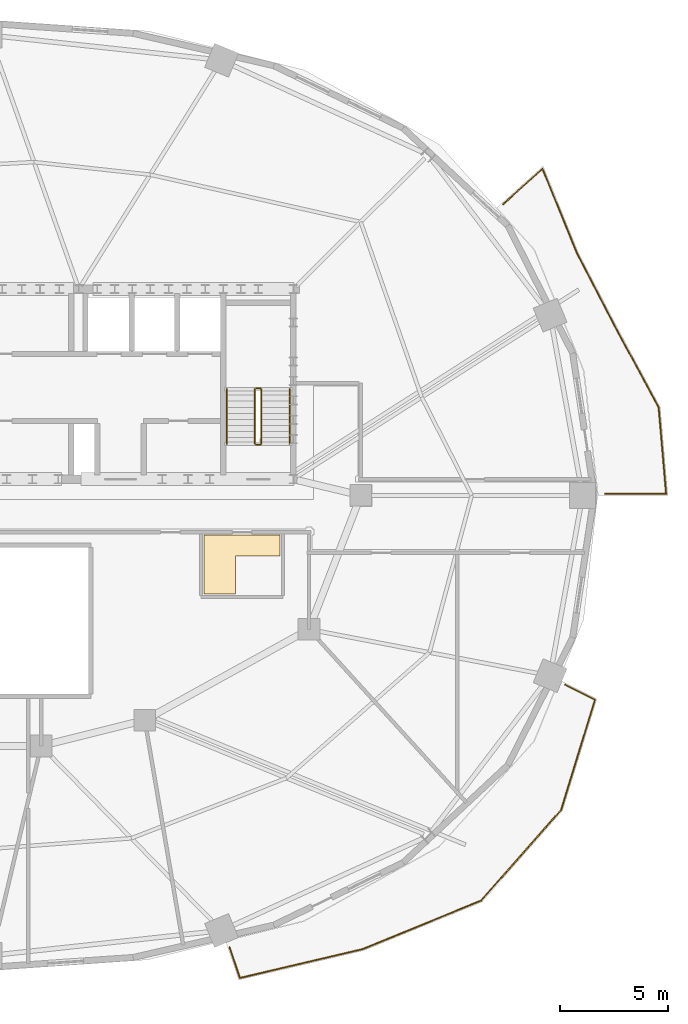
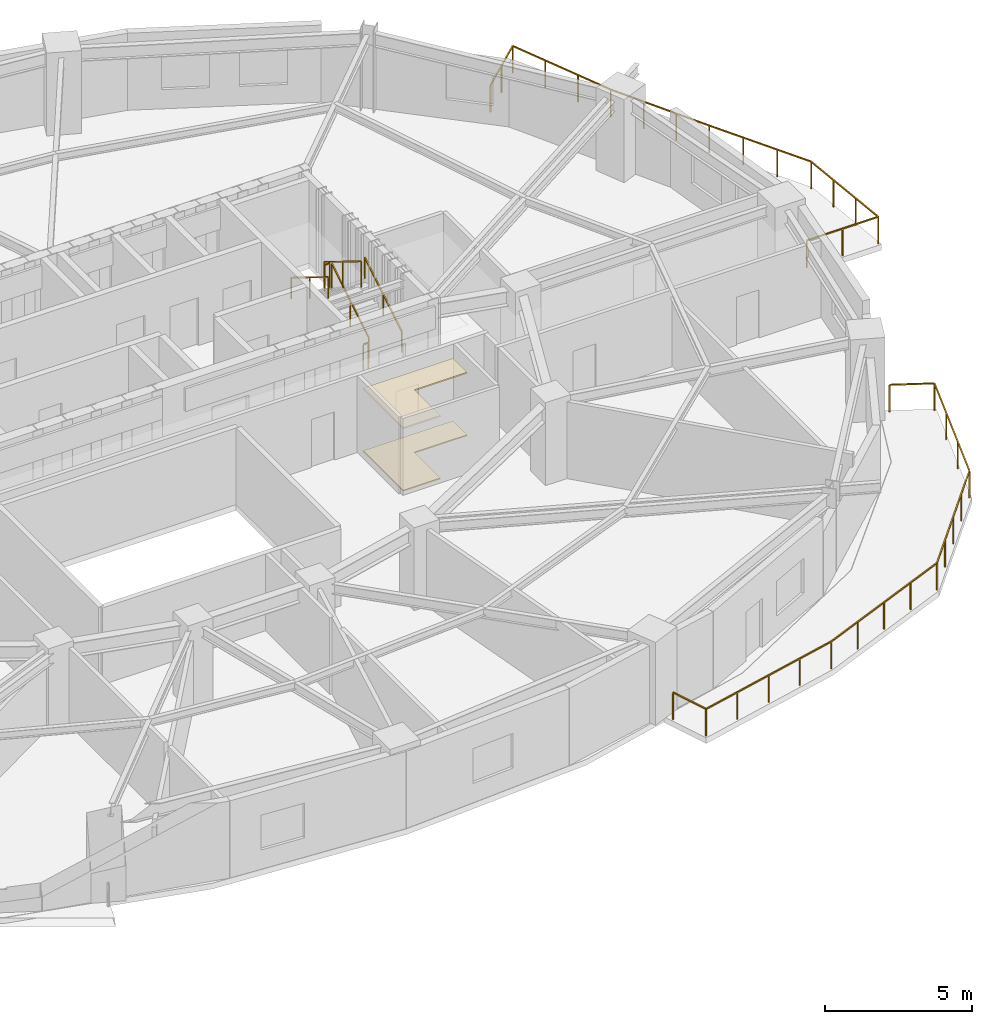
# One storey, part 11 of 11: 8 railings, 2 coverings.
"""IFC4 building model written with IfcOpenShell, lengths in metres."""

from ifc_helpers import new_model, si_unit, direction, frame, origin, origin_2d, place, context, subcontext, project, spatial, polyline, rectangle, outline, extrude, material, layer, layer_set, type_object, element, save


model = new_model("IFC4")

# Units and contexts
model_context = context("Model", 3, precision=1e-05, world=origin(), true_north=direction((0.0, 1.0)))
body_context = subcontext(model_context, "Body", "Model", "MODEL_VIEW")
ifc_project = project(units=[si_unit("LENGTHUNIT", "METRE"), si_unit("AREAUNIT", "SQUARE_METRE"), si_unit("VOLUMEUNIT", "CUBIC_METRE"), si_unit("PLANEANGLEUNIT", "RADIAN"), si_unit("MASSUNIT", "GRAM", prefix="KILO")], contexts=[model_context])

# Site, building, storey
site_placement = place(None, origin())
site = spatial("IfcSite", under=ifc_project, at=site_placement, CompositionType="ELEMENT")
building_placement = place(site_placement, origin())
building = spatial("IfcBuilding", under=site, at=building_placement, Name="Haldorwick Loom Tower", CompositionType="ELEMENT")
storey_placement = place(building_placement, frame((0.0, 0.0, 208.300048828125)))
storey = spatial("IfcBuildingStorey", under=building, at=storey_placement, Name="L56", CompositionType="ELEMENT", Elevation=208.300048828125)

# Coverings
ifc_material_1 = material(Name="Mineral Fibre Acoustic Ceiling Tile")
ifc_layer_1 = layer(ifc_material_1, 0.054931640625, Name="Mineral Fibre Acoustic Ceiling Tile")
ifc_layer_set_1 = layer_set([ifc_layer_1], Name="Mineral Fibre Acoustic Ceiling Tile")
covering_type_1 = type_object("IfcCoveringType", Name="ARC-COV-CEIL2", PredefinedType="CEILING", material=ifc_layer_set_1)
covering_1_placement = place(storey_placement, frame((0.0, 0.0, 2.594970703125)))
element("IfcCovering", 1, at=covering_1_placement, inside=storey, type_object=covering_type_1, Name="L56 Acoustic Suspended Ceiling 2", PredefinedType="CEILING", context=body_context, shape_type="SweptSolid", body=[
    extrude(outline(polyline([(45.929931640625, 24.159912109375), (45.929931640625, 21.429931640625), (47.39990234375, 21.429931640625), (47.39990234375, 23.199951171875), (49.469970703125, 23.199951171875), (49.469970703125, 24.159912109375), (45.929931640625, 24.159912109375)])), origin(), (0.0, 0.0, 1.0), 0.054931640625),
])
ifc_material_2 = material(Name="Polished Aggregate Terrazzo Finish")
ifc_layer_2 = layer(ifc_material_2, 0.044921875, Name="Polished Aggregate Terrazzo Finish")
ifc_layer_set_2 = layer_set([ifc_layer_2], Name="Polished Aggregate Terrazzo Finish")
covering_type_2 = type_object("IfcCoveringType", Name="ARC-COV-FLOOR2", PredefinedType="FLOORING", material=ifc_layer_set_2)
covering_2_placement = place(storey_placement, origin())
element("IfcCovering", 2, at=covering_2_placement, inside=storey, type_object=covering_type_2, Name="L56 Floor Finish 2", PredefinedType="FLOORING", context=body_context, shape_type="SweptSolid", body=[
    extrude(outline(polyline([(45.929931640625, 24.159912109375), (45.929931640625, 21.429931640625), (47.39990234375, 21.429931640625), (47.39990234375, 23.199951171875), (49.469970703125, 23.199951171875), (49.469970703125, 24.159912109375), (45.929931640625, 24.159912109375)])), origin(), (0.0, 0.0, 1.0), 0.044921875),
])

# Railings
ifc_material_3 = material(Name="Galvanized Steel CSA G40.21 350W", Category="steel")
railing_type_1 = type_object("IfcRailingType", Name="ARC-RLG-BAL115", PredefinedType="BALUSTRADE", material=ifc_material_3)
railing_1_placement = place(storey_placement, frame((62.661865234375, 17.236572265625, 0.0)))
element("IfcRailing", 3, at=railing_1_placement, inside=storey, type_object=railing_type_1, Name="L56 Outdoor Terrace Guardrail SLB-L56-BAL_SE-1", PredefinedType="BALUSTRADE", context=body_context, shape_type="SweptSolid", body=[
    extrude(rectangle(XDim=0.048095703125, YDim=0.048095703125, at=origin_2d()), frame((0.0, 0.0, 1.1259765625), z_axis=(0.892070683067, -0.451895891121, 0.0), x_axis=(0.451895891121, 0.892070683067, 0.0)), (0.0, 0.0, 1.0), 1.541259765625),
    extrude(rectangle(XDim=0.048095703125, YDim=0.048095703125, at=origin_2d()), frame((1.375, -0.696533203125, 1.1259765625), z_axis=(-0.294076193871, -0.955781979427, 0.0), x_axis=(0.955781979427, -0.294076193871, 0.0)), (0.0, 0.0, 1.0), 5.33056640625),
    extrude(rectangle(XDim=0.048095703125, YDim=0.048095703125, at=origin_2d()), frame((-0.192626953125, -5.79150390625, 1.1259765625), z_axis=(-0.661438460984, -0.749999441554, 0.0), x_axis=(0.749999441554, -0.661438460984, 0.0)), (0.0, 0.0, 1.0), 5.598876953125),
    extrude(rectangle(XDim=0.048095703125, YDim=0.048095703125, at=origin_2d()), frame((-3.89599609375, -9.99072265625, 1.1259765625), z_axis=(-0.925182772221, -0.379521854425, 0.0), x_axis=(0.379521854425, -0.925182772221, 0.0)), (0.0, 0.0, 1.0), 5.901611328125),
    extrude(rectangle(XDim=0.048095703125, YDim=0.048095703125, at=origin_2d()), frame((-9.35595703125, -12.23046875, 1.1259765625), z_axis=(-0.973411154272, -0.229064891984, 0.0), x_axis=(0.229064891984, -0.973411154272, 0.0)), (0.0, 0.0, 1.0), 5.856689453125),
    extrude(rectangle(XDim=0.048095703125, YDim=0.048095703125, at=origin_2d()), frame((-15.056884765625, -13.572021484375, 1.1259765625), z_axis=(-0.322484610665, 0.946574706975, 0.0), x_axis=(-0.946574706975, -0.322484610665, 0.0)), (0.0, 0.0, 1.0), 1.496826171875),
    extrude(rectangle(XDim=0.0419921875, YDim=0.0419921875, at=origin_2d()), origin(), (0.0, 0.0, 1.0), 1.101806640625),
    extrude(rectangle(XDim=0.0419921875, YDim=0.0419921875, at=origin_2d()), frame((1.375, -0.696533203125, 0.0)), (0.0, 0.0, 1.0), 1.101806640625),
    extrude(rectangle(XDim=0.0419921875, YDim=0.0419921875, at=origin_2d()), frame((0.8525390625, -2.394775390625, 0.0)), (0.0, 0.0, 1.0), 1.101806640625),
    extrude(rectangle(XDim=0.0419921875, YDim=0.0419921875, at=origin_2d()), frame((0.329833984375, -4.09326171875, 0.0)), (0.0, 0.0, 1.0), 1.101806640625),
    extrude(rectangle(XDim=0.0419921875, YDim=0.0419921875, at=origin_2d()), frame((-0.192626953125, -5.79150390625, 0.0)), (0.0, 0.0, 1.0), 1.101806640625),
    extrude(rectangle(XDim=0.0419921875, YDim=0.0419921875, at=origin_2d()), frame((-1.118408203125, -6.84130859375, 0.0)), (0.0, 0.0, 1.0), 1.101806640625),
    extrude(rectangle(XDim=0.0419921875, YDim=0.0419921875, at=origin_2d()), frame((-2.04443359375, -7.89111328125, 0.0)), (0.0, 0.0, 1.0), 1.101806640625),
    extrude(rectangle(XDim=0.0419921875, YDim=0.0419921875, at=origin_2d()), frame((-2.97021484375, -8.94091796875, 0.0)), (0.0, 0.0, 1.0), 1.101806640625),
    extrude(rectangle(XDim=0.0419921875, YDim=0.0419921875, at=origin_2d()), frame((-3.89599609375, -9.99072265625, 0.0)), (0.0, 0.0, 1.0), 1.101806640625),
    extrude(rectangle(XDim=0.0419921875, YDim=0.0419921875, at=origin_2d()), frame((-5.260986328125, -10.55078125, 0.0)), (0.0, 0.0, 1.0), 1.101806640625),
    extrude(rectangle(XDim=0.0419921875, YDim=0.0419921875, at=origin_2d()), frame((-6.6259765625, -11.110595703125, 0.0)), (0.0, 0.0, 1.0), 1.101806640625),
    extrude(rectangle(XDim=0.0419921875, YDim=0.0419921875, at=origin_2d()), frame((-7.990966796875, -11.67041015625, 0.0)), (0.0, 0.0, 1.0), 1.101806640625),
    extrude(rectangle(XDim=0.0419921875, YDim=0.0419921875, at=origin_2d()), frame((-9.35595703125, -12.23046875, 0.0)), (0.0, 0.0, 1.0), 1.101806640625),
    extrude(rectangle(XDim=0.0419921875, YDim=0.0419921875, at=origin_2d()), frame((-10.78125, -12.56591796875, 0.0)), (0.0, 0.0, 1.0), 1.101806640625),
    extrude(rectangle(XDim=0.0419921875, YDim=0.0419921875, at=origin_2d()), frame((-12.20654296875, -12.9013671875, 0.0)), (0.0, 0.0, 1.0), 1.101806640625),
    extrude(rectangle(XDim=0.0419921875, YDim=0.0419921875, at=origin_2d()), frame((-13.631591796875, -13.236572265625, 0.0)), (0.0, 0.0, 1.0), 1.101806640625),
    extrude(rectangle(XDim=0.0419921875, YDim=0.0419921875, at=origin_2d()), frame((-15.056884765625, -13.572021484375, 0.0)), (0.0, 0.0, 1.0), 1.101806640625),
    extrude(rectangle(XDim=0.0419921875, YDim=0.0419921875, at=origin_2d()), frame((-15.53955078125, -12.1552734375, 0.0)), (0.0, 0.0, 1.0), 1.101806640625),
])
railing_2_placement = place(storey_placement, frame((59.78955078125, 39.4794921875, 0.0)))
element("IfcRailing", 4, at=railing_2_placement, inside=storey, type_object=railing_type_1, Name="L56 Outdoor Terrace Guardrail SLB-L56-BAL_ENE-1", PredefinedType="BALUSTRADE", context=body_context, shape_type="SweptSolid", body=[
    extrude(rectangle(XDim=0.048095703125, YDim=0.048095703125, at=origin_2d()), frame((0.0, 0.0, 1.1259765625), z_axis=(0.743527246885, 0.668705640128, 0.0), x_axis=(-0.668705640128, 0.743527246885, 0.0)), (0.0, 0.0, 1.0), 2.447265625),
    extrude(rectangle(XDim=0.048095703125, YDim=0.048095703125, at=origin_2d()), frame((1.819580078125, 1.636474609375, 1.1259765625), z_axis=(0.377677997982, -0.92593700101, 0.0), x_axis=(0.92593700101, 0.377677997982, 0.0)), (0.0, 0.0, 1.0), 4.232177734375),
    extrude(rectangle(XDim=0.048095703125, YDim=0.048095703125, at=origin_2d()), frame((3.41796875, -2.2822265625, 1.1259765625), z_axis=(0.421111306455, -0.907008967748, 0.0), x_axis=(0.907008967748, 0.421111306455, 0.0)), (0.0, 0.0, 1.0), 0.007568359375),
    extrude(rectangle(XDim=0.048095703125, YDim=0.048095703125, at=origin_2d()), frame((3.421142578125, -2.2890625, 1.1259765625), z_axis=(0.461673716172, -0.887049818102, 0.0), x_axis=(0.887049818102, 0.461673716172, 0.0)), (0.0, 0.0, 1.0), 3.97509765625),
    extrude(rectangle(XDim=0.048095703125, YDim=0.048095703125, at=origin_2d()), frame((5.25634765625, -5.815185546875, 1.1259765625), z_axis=(0.514495755428, -0.857492925713, 0.0), x_axis=(0.857492925713, 0.514495755428, 0.0)), (0.0, 0.0, 1.0), 0.00146484375),
    extrude(rectangle(XDim=0.048095703125, YDim=0.048095703125, at=origin_2d()), frame((5.257080078125, -5.81640625, 1.1259765625), z_axis=(0.474609343483, -0.880196552526, 0.0), x_axis=(0.880196552526, 0.474609343483, 0.0)), (0.0, 0.0, 1.0), 4.08544921875),
    extrude(rectangle(XDim=0.048095703125, YDim=0.048095703125, at=origin_2d()), frame((7.196044921875, -9.412353515625, 1.1259765625), z_axis=(0.085837181649, -0.99630917804, 0.0), x_axis=(0.99630917804, 0.085837181649, 0.0)), (0.0, 0.0, 1.0), 4.001708984375),
    extrude(rectangle(XDim=0.048095703125, YDim=0.048095703125, at=origin_2d()), frame((7.53955078125, -13.3994140625, 1.1259765625), z_axis=(-1.0, 0.0, 0.0), x_axis=(0.0, -1.0, 0.0)), (0.0, 0.0, 1.0), 2.819580078125),
    extrude(rectangle(XDim=0.0419921875, YDim=0.0419921875, at=origin_2d()), origin(), (0.0, 0.0, 1.0), 1.101806640625),
    extrude(rectangle(XDim=0.0419921875, YDim=0.0419921875, at=origin_2d()), frame((0.90966796875, 0.818359375, 0.0)), (0.0, 0.0, 1.0), 1.101806640625),
    extrude(rectangle(XDim=0.0419921875, YDim=0.0419921875, at=origin_2d()), frame((1.819580078125, 1.636474609375, 0.0)), (0.0, 0.0, 1.0), 1.101806640625),
    extrude(rectangle(XDim=0.0419921875, YDim=0.0419921875, at=origin_2d()), frame((2.352294921875, 0.330322265625, 0.0)), (0.0, 0.0, 1.0), 1.101806640625),
    extrude(rectangle(XDim=0.0419921875, YDim=0.0419921875, at=origin_2d()), frame((2.88525390625, -0.97607421875, 0.0)), (0.0, 0.0, 1.0), 1.101806640625),
    extrude(rectangle(XDim=0.0419921875, YDim=0.0419921875, at=origin_2d()), frame((3.41796875, -2.2822265625, 0.0)), (0.0, 0.0, 1.0), 1.101806640625),
    extrude(rectangle(XDim=0.0419921875, YDim=0.0419921875, at=origin_2d()), frame((4.032958984375, -3.46435546875, 0.0)), (0.0, 0.0, 1.0), 1.101806640625),
    extrude(rectangle(XDim=0.0419921875, YDim=0.0419921875, at=origin_2d()), frame((4.64453125, -4.639892578125, 0.0)), (0.0, 0.0, 1.0), 1.101806640625),
    extrude(rectangle(XDim=0.0419921875, YDim=0.0419921875, at=origin_2d()), frame((5.25634765625, -5.815185546875, 0.0)), (0.0, 0.0, 1.0), 1.101806640625),
    extrude(rectangle(XDim=0.0419921875, YDim=0.0419921875, at=origin_2d()), frame((5.9033203125, -7.01513671875, 0.0)), (0.0, 0.0, 1.0), 1.101806640625),
    extrude(rectangle(XDim=0.0419921875, YDim=0.0419921875, at=origin_2d()), frame((6.5498046875, -8.213623046875, 0.0)), (0.0, 0.0, 1.0), 1.101806640625),
    extrude(rectangle(XDim=0.0419921875, YDim=0.0419921875, at=origin_2d()), frame((7.196044921875, -9.412353515625, 0.0)), (0.0, 0.0, 1.0), 1.101806640625),
    extrude(rectangle(XDim=0.0419921875, YDim=0.0419921875, at=origin_2d()), frame((7.310546875, -10.741455078125, 0.0)), (0.0, 0.0, 1.0), 1.101806640625),
    extrude(rectangle(XDim=0.0419921875, YDim=0.0419921875, at=origin_2d()), frame((7.425048828125, -12.0703125, 0.0)), (0.0, 0.0, 1.0), 1.101806640625),
    extrude(rectangle(XDim=0.0419921875, YDim=0.0419921875, at=origin_2d()), frame((7.53955078125, -13.3994140625, 0.0)), (0.0, 0.0, 1.0), 1.101806640625),
    extrude(rectangle(XDim=0.0419921875, YDim=0.0419921875, at=origin_2d()), frame((6.1298828125, -13.3994140625, 0.0)), (0.0, 0.0, 1.0), 1.101806640625),
    extrude(rectangle(XDim=0.0419921875, YDim=0.0419921875, at=origin_2d()), frame((4.719970703125, -13.3994140625, 0.0)), (0.0, 0.0, 1.0), 1.101806640625),
])
ifc_material_4 = material(Name="Steel CSA G40.21 350W", Category="steel")
railing_type_2 = type_object("IfcRailingType", Name="ARC-RLG-GUARD112", PredefinedType="GUARDRAIL", material=ifc_material_4)
railing_3_placement = place(storey_placement, frame((48.60009765625, 28.39990234375, 0.17236328125)))
element("IfcRailing", 5, at=railing_3_placement, inside=storey, type_object=railing_type_2, Name="L56 ST-02 stair guard 1", PredefinedType="GUARDRAIL", context=body_context, shape_type="SweptSolid", body=[
    extrude(rectangle(XDim=0.048095703125, YDim=0.048095703125, at=origin_2d()), frame((0.0, 0.0, 1.076171875), z_axis=(0.0, 0.851400495292, 0.524516154772), x_axis=(-1.0, 0.0, 0.0)), (0.0, 0.0, 1.0), 2.9599609375),
    extrude(rectangle(XDim=0.0419921875, YDim=0.0419921875, at=origin_2d()), origin(), (0.0, 0.0, 1.0), 1.052001953125),
    extrude(rectangle(XDim=0.0419921875, YDim=0.0419921875, at=origin_2d()), frame((0.0, 1.260009765625, 0.7763671875)), (0.0, 0.0, 1.0), 1.052001953125),
    extrude(rectangle(XDim=0.0419921875, YDim=0.0419921875, at=origin_2d()), frame((0.0, 2.52001953125, 1.552490234375)), (0.0, 0.0, 1.0), 1.052001953125),
])
railing_4_placement = place(storey_placement, frame((48.550048828125, 30.969970703125, 1.724853515625)))
element("IfcRailing", 6, at=railing_4_placement, inside=storey, type_object=railing_type_2, Name="L56 ST-02 stair guard 2", PredefinedType="GUARDRAIL", context=body_context, shape_type="SweptSolid", body=[
    extrude(rectangle(XDim=0.048095703125, YDim=0.048095703125, at=origin_2d()), frame((0.0, 0.0, 1.076171875), z_axis=(-1.0, 0.0, 0.0), x_axis=(0.0, -1.0, 0.0)), (0.0, 0.0, 1.0), 0.199951171875),
    extrude(rectangle(XDim=0.0419921875, YDim=0.0419921875, at=origin_2d()), origin(), (0.0, 0.0, 1.0), 1.052001953125),
    extrude(rectangle(XDim=0.0419921875, YDim=0.0419921875, at=origin_2d()), frame((-0.199951171875, 0.0, 0.0)), (0.0, 0.0, 1.0), 1.052001953125),
])
railing_5_placement = place(storey_placement, frame((48.300048828125, 30.919921875, 1.8974609375)))
element("IfcRailing", 7, at=railing_5_placement, inside=storey, type_object=railing_type_2, Name="L56 ST-02 stair guard 3", PredefinedType="GUARDRAIL", context=body_context, shape_type="SweptSolid", body=[
    extrude(rectangle(XDim=0.048095703125, YDim=0.048095703125, at=origin_2d()), frame((0.0, 0.0, 1.076171875), z_axis=(0.0, -0.851400495292, 0.524516154772), x_axis=(1.0, 0.0, 0.0)), (0.0, 0.0, 1.0), 2.9599609375),
    extrude(rectangle(XDim=0.0419921875, YDim=0.0419921875, at=origin_2d()), origin(), (0.0, 0.0, 1.0), 1.052001953125),
    extrude(rectangle(XDim=0.0419921875, YDim=0.0419921875, at=origin_2d()), frame((0.0, -1.260009765625, 0.7763671875)), (0.0, 0.0, 1.0), 1.052001953125),
    extrude(rectangle(XDim=0.0419921875, YDim=0.0419921875, at=origin_2d()), frame((0.0, -2.52001953125, 1.552490234375)), (0.0, 0.0, 1.0), 1.052001953125),
])
railing_6_placement = place(storey_placement, frame((48.550048828125, 28.35009765625, 0.0)))
element("IfcRailing", 8, at=railing_6_placement, inside=storey, type_object=railing_type_2, Name="L56 ST-02 stair guard 4", PredefinedType="GUARDRAIL", context=body_context, shape_type="SweptSolid", body=[
    extrude(rectangle(XDim=0.048095703125, YDim=0.048095703125, at=origin_2d()), frame((0.0, 0.0, 1.076171875), z_axis=(-1.0, 0.0, 0.0), x_axis=(0.0, -1.0, 0.0)), (0.0, 0.0, 1.0), 0.199951171875),
    extrude(rectangle(XDim=0.0419921875, YDim=0.0419921875, at=origin_2d()), origin(), (0.0, 0.0, 1.0), 1.052001953125),
    extrude(rectangle(XDim=0.0419921875, YDim=0.0419921875, at=origin_2d()), frame((-0.199951171875, 0.0, 0.0)), (0.0, 0.0, 1.0), 1.052001953125),
])
railing_type_3 = type_object("IfcRailingType", Name="ARC-RLG-HAND092", PredefinedType="HANDRAIL", material=ifc_material_4)
railing_7_placement = place(storey_placement, frame((49.89990234375, 28.39990234375, 0.17236328125)))
element("IfcRailing", 9, at=railing_7_placement, inside=storey, type_object=railing_type_3, Name="L56 ST-02 stair handrail 1", PredefinedType="HANDRAIL", context=body_context, shape_type="SweptSolid", body=[
    extrude(rectangle(XDim=0.048095703125, YDim=0.048095703125, at=origin_2d()), frame((0.0, 0.0, 0.8759765625), z_axis=(0.0, 0.851400495292, 0.524516154772), x_axis=(-1.0, 0.0, 0.0)), (0.0, 0.0, 1.0), 2.9599609375),
    extrude(rectangle(XDim=0.0419921875, YDim=0.0419921875, at=origin_2d()), origin(), (0.0, 0.0, 1.0), 0.851806640625),
    extrude(rectangle(XDim=0.0419921875, YDim=0.0419921875, at=origin_2d()), frame((0.0, 1.260009765625, 0.7763671875)), (0.0, 0.0, 1.0), 0.851806640625),
    extrude(rectangle(XDim=0.0419921875, YDim=0.0419921875, at=origin_2d()), frame((0.0, 2.52001953125, 1.552490234375)), (0.0, 0.0, 1.0), 0.851806640625),
])
railing_8_placement = place(storey_placement, frame((47.0, 30.919921875, 1.8974609375)))
element("IfcRailing", 10, at=railing_8_placement, inside=storey, type_object=railing_type_3, Name="L56 ST-02 stair handrail 2", PredefinedType="HANDRAIL", context=body_context, shape_type="SweptSolid", body=[
    extrude(rectangle(XDim=0.048095703125, YDim=0.048095703125, at=origin_2d()), frame((0.0, 0.0, 0.8759765625), z_axis=(0.0, -0.851400495292, 0.524516154772), x_axis=(1.0, 0.0, 0.0)), (0.0, 0.0, 1.0), 2.9599609375),
    extrude(rectangle(XDim=0.0419921875, YDim=0.0419921875, at=origin_2d()), origin(), (0.0, 0.0, 1.0), 0.851806640625),
    extrude(rectangle(XDim=0.0419921875, YDim=0.0419921875, at=origin_2d()), frame((0.0, -1.260009765625, 0.7763671875)), (0.0, 0.0, 1.0), 0.851806640625),
    extrude(rectangle(XDim=0.0419921875, YDim=0.0419921875, at=origin_2d()), frame((0.0, -2.52001953125, 1.552490234375)), (0.0, 0.0, 1.0), 0.851806640625),
])

save(model, "model.ifc")
